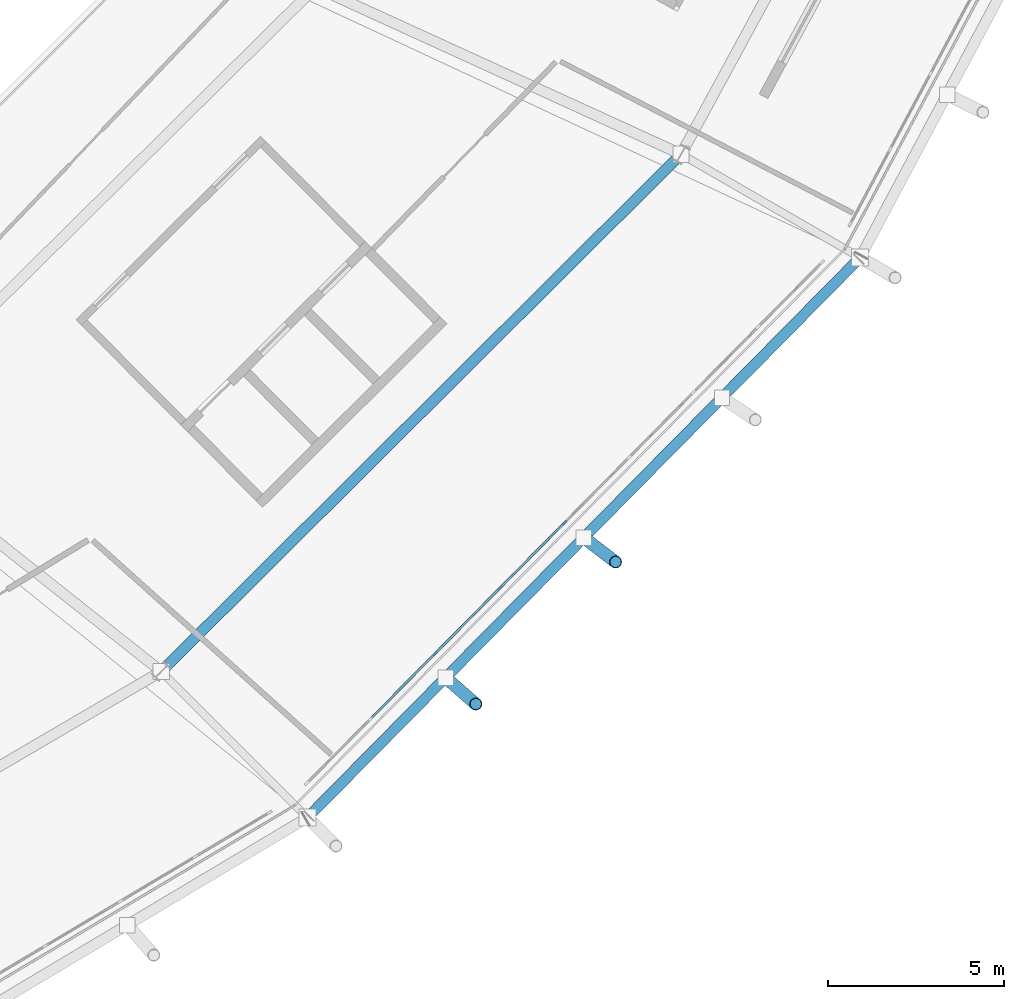
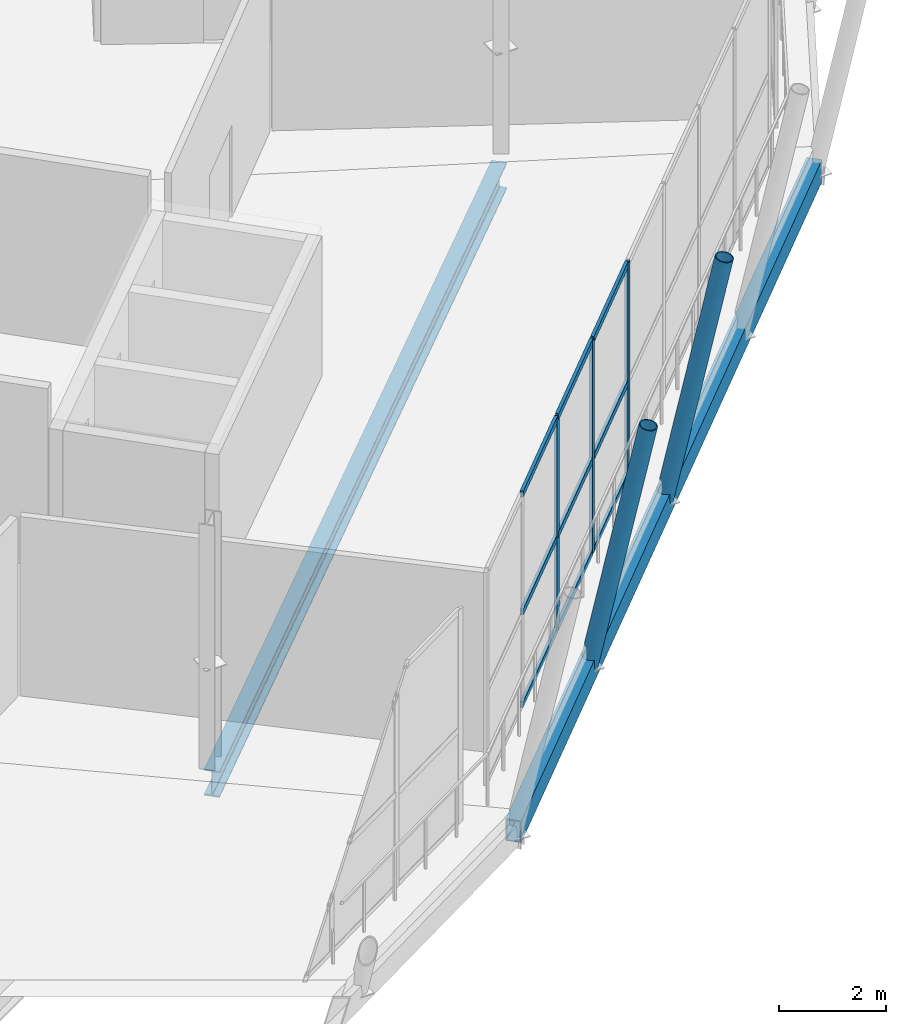
# One storey, part 35 of 99: 14 members, 2 beams, 1 element without a shape of its own.
"""IFC4 building model written with IfcOpenShell, lengths in metres."""

from ifc_helpers import new_model, si_unit, direction, frame, origin, origin_2d, place, context, subcontext, project, spatial, rectangle, hollow_rectangle, hollow_circle, i_section, extrude, material, material_profile, profile_set, type_object, element, aggregate, save


model = new_model("IFC4")

# Units and contexts
model_context = context("Model", 3, precision=1e-05, world=origin(), true_north=direction((0.0, 1.0)))
body_context = subcontext(model_context, "Body", "Model", "MODEL_VIEW")
ifc_project = project(units=[si_unit("LENGTHUNIT", "METRE"), si_unit("AREAUNIT", "SQUARE_METRE"), si_unit("VOLUMEUNIT", "CUBIC_METRE"), si_unit("PLANEANGLEUNIT", "RADIAN"), si_unit("MASSUNIT", "GRAM", prefix="KILO")], contexts=[model_context])

# Site, building, storey
site_placement = place(None, origin())
site = spatial("IfcSite", under=ifc_project, at=site_placement, CompositionType="ELEMENT")
building_placement = place(site_placement, origin())
building = spatial("IfcBuilding", under=site, at=building_placement, Name="Zlatoyarsky Gate Stadium", CompositionType="ELEMENT")
storey_placement = place(building_placement, frame((0.0, 0.0, 26.199951171875)))
storey = spatial("IfcBuildingStorey", under=building, at=storey_placement, Name="L05", CompositionType="ELEMENT", Elevation=26.199951171875)

# Curtain wall, members
ifc_material_1 = material(Name="Thermally broken anodised aluminium curtain wall", Category="aluminium")
curtain_wall_type = type_object("IfcCurtainWallType", Name="UNITISED SKYBOX RING GLAZING L05", PredefinedType="USERDEFINED", material=ifc_material_1)
curtain_wall_placement = place(storey_placement, origin())
curtain_wall = element("IfcCurtainWall", 1, at=curtain_wall_placement, inside=storey, type_object=curtain_wall_type, Name="Curtain wall CW-L05-21", ObjectType="UNITISED GLAZING", PredefinedType="USERDEFINED")
ifc_material_2 = material(Name="Anodised aluminium 6063-T6", Category="aluminium")
ifc_material_profile_1 = material_profile(ifc_material_2, rectangle(XDim=0.06494140625, YDim=0.159912109375, at=origin_2d()), Name="ALU 65X160")
ifc_profile_set_1 = profile_set([ifc_material_profile_1], Name="Anodised aluminium 6063-T6")
member_type_1 = type_object("IfcMemberType", Name="ALUMINIUM MULLION 65X160", PredefinedType="MULLION", material=ifc_profile_set_1)
member_1_placement = place(storey_placement, frame((184.551513671875, 30.309326171875, 0.0), z_axis=(0.0, 0.0, 1.0), x_axis=(-0.711033343632, 0.703158292451, 0.0)))
member_1 = element("IfcMember", 2, at=member_1_placement, type_object=member_type_1, Name="CW-UG5 mullion 3", PredefinedType="MULLION", context=body_context, shape_type="SweptSolid", body=[
    extrude(rectangle(XDim=0.06494140625, YDim=0.159912109375, at=origin_2d()), origin(), (0.0, 0.0, 1.0), 4.880126953125),
])
member_2_placement = place(storey_placement, frame((186.387451171875, 32.165771484375, 0.0), z_axis=(0.0, 0.0, 1.0), x_axis=(-0.711033343632, 0.703158292451, 0.0)))
member_2 = element("IfcMember", 3, at=member_2_placement, type_object=member_type_1, Name="CW-UG5 mullion 4", PredefinedType="MULLION", context=body_context, shape_type="SweptSolid", body=[
    extrude(rectangle(XDim=0.06494140625, YDim=0.159912109375, at=origin_2d()), origin(), (0.0, 0.0, 1.0), 4.880126953125),
])
member_3_placement = place(storey_placement, frame((188.2236328125, 34.0224609375, 0.0), z_axis=(0.0, 0.0, 1.0), x_axis=(-0.711033343632, 0.703158292451, 0.0)))
member_3 = element("IfcMember", 4, at=member_3_placement, type_object=member_type_1, Name="CW-UG5 mullion 5", PredefinedType="MULLION", context=body_context, shape_type="SweptSolid", body=[
    extrude(rectangle(XDim=0.06494140625, YDim=0.159912109375, at=origin_2d()), origin(), (0.0, 0.0, 1.0), 4.880126953125),
])
ifc_material_profile_2 = material_profile(ifc_material_2, rectangle(XDim=0.06494140625, YDim=0.139892578125, at=origin_2d()), Name="ALU 65X140")
ifc_profile_set_2 = profile_set([ifc_material_profile_2], Name="Anodised aluminium 6063-T6")
member_type_2 = type_object("IfcMemberType", Name="ALUMINIUM TRANSOM 65X140", PredefinedType="USERDEFINED", material=ifc_profile_set_2)
member_4_placement = place(storey_placement, frame((182.73828125, 28.475830078125, 0.032470703125), z_axis=(0.7031643449, 0.711027358166, 0.0), x_axis=(-0.711027358166, 0.7031643449, 0.0)))
member_4 = element("IfcMember", 5, at=member_4_placement, type_object=member_type_2, Name="CW-UG5 transom 2.1", ObjectType="TRANSOM", PredefinedType="USERDEFINED", context=body_context, shape_type="SweptSolid", body=[
    extrude(rectangle(XDim=0.06494140625, YDim=0.139892578125, at=origin_2d()), origin(), (0.0, 0.0, 1.0), 2.546142578125),
])
member_5_placement = place(storey_placement, frame((182.73828125, 28.475830078125, 2.150146484375), z_axis=(0.7031643449, 0.711027358166, 0.0), x_axis=(-0.711027358166, 0.7031643449, 0.0)))
member_5 = element("IfcMember", 6, at=member_5_placement, type_object=member_type_2, Name="CW-UG5 transom 2.2", ObjectType="TRANSOM", PredefinedType="USERDEFINED", context=body_context, shape_type="SweptSolid", body=[
    extrude(rectangle(XDim=0.06494140625, YDim=0.139892578125, at=origin_2d()), origin(), (0.0, 0.0, 1.0), 2.546142578125),
])
member_6_placement = place(storey_placement, frame((182.73828125, 28.475830078125, 4.84765625), z_axis=(0.7031643449, 0.711027358166, 0.0), x_axis=(-0.711027358166, 0.7031643449, 0.0)))
member_6 = element("IfcMember", 7, at=member_6_placement, type_object=member_type_2, Name="CW-UG5 transom 2.3", ObjectType="TRANSOM", PredefinedType="USERDEFINED", context=body_context, shape_type="SweptSolid", body=[
    extrude(rectangle(XDim=0.06494140625, YDim=0.139892578125, at=origin_2d()), origin(), (0.0, 0.0, 1.0), 2.546142578125),
])
member_7_placement = place(storey_placement, frame((184.574462890625, 30.332275390625, 0.032470703125), z_axis=(0.703116404332, 0.711074765379, 0.0), x_axis=(-0.711074765379, 0.703116404332, 0.0)))
member_7 = element("IfcMember", 8, at=member_7_placement, type_object=member_type_2, Name="CW-UG5 transom 3.1", ObjectType="TRANSOM", PredefinedType="USERDEFINED", context=body_context, shape_type="SweptSolid", body=[
    extrude(rectangle(XDim=0.06494140625, YDim=0.139892578125, at=origin_2d()), origin(), (0.0, 0.0, 1.0), 2.546142578125),
])
member_8_placement = place(storey_placement, frame((184.574462890625, 30.332275390625, 2.150146484375), z_axis=(0.703116404332, 0.711074765379, 0.0), x_axis=(-0.711074765379, 0.703116404332, 0.0)))
member_8 = element("IfcMember", 9, at=member_8_placement, type_object=member_type_2, Name="CW-UG5 transom 3.2", ObjectType="TRANSOM", PredefinedType="USERDEFINED", context=body_context, shape_type="SweptSolid", body=[
    extrude(rectangle(XDim=0.06494140625, YDim=0.139892578125, at=origin_2d()), origin(), (0.0, 0.0, 1.0), 2.546142578125),
])
member_9_placement = place(storey_placement, frame((184.574462890625, 30.332275390625, 4.84765625), z_axis=(0.703116404332, 0.711074765379, 0.0), x_axis=(-0.711074765379, 0.703116404332, 0.0)))
member_9 = element("IfcMember", 10, at=member_9_placement, type_object=member_type_2, Name="CW-UG5 transom 3.3", ObjectType="TRANSOM", PredefinedType="USERDEFINED", context=body_context, shape_type="SweptSolid", body=[
    extrude(rectangle(XDim=0.06494140625, YDim=0.139892578125, at=origin_2d()), origin(), (0.0, 0.0, 1.0), 2.546142578125),
])
member_10_placement = place(storey_placement, frame((186.410400390625, 32.18896484375, 0.032470703125), z_axis=(0.7031643449, 0.711027358166, 0.0), x_axis=(-0.711027358166, 0.7031643449, 0.0)))
member_10 = element("IfcMember", 11, at=member_10_placement, type_object=member_type_2, Name="CW-UG5 transom 4.1", ObjectType="TRANSOM", PredefinedType="USERDEFINED", context=body_context, shape_type="SweptSolid", body=[
    extrude(rectangle(XDim=0.06494140625, YDim=0.139892578125, at=origin_2d()), origin(), (0.0, 0.0, 1.0), 2.546142578125),
])
member_11_placement = place(storey_placement, frame((186.410400390625, 32.18896484375, 2.150146484375), z_axis=(0.7031643449, 0.711027358166, 0.0), x_axis=(-0.711027358166, 0.7031643449, 0.0)))
member_11 = element("IfcMember", 12, at=member_11_placement, type_object=member_type_2, Name="CW-UG5 transom 4.2", ObjectType="TRANSOM", PredefinedType="USERDEFINED", context=body_context, shape_type="SweptSolid", body=[
    extrude(rectangle(XDim=0.06494140625, YDim=0.139892578125, at=origin_2d()), origin(), (0.0, 0.0, 1.0), 2.546142578125),
])
member_12_placement = place(storey_placement, frame((186.410400390625, 32.18896484375, 4.84765625), z_axis=(0.7031643449, 0.711027358166, 0.0), x_axis=(-0.711027358166, 0.7031643449, 0.0)))
member_12 = element("IfcMember", 13, at=member_12_placement, type_object=member_type_2, Name="CW-UG5 transom 4.3", ObjectType="TRANSOM", PredefinedType="USERDEFINED", context=body_context, shape_type="SweptSolid", body=[
    extrude(rectangle(XDim=0.06494140625, YDim=0.139892578125, at=origin_2d()), origin(), (0.0, 0.0, 1.0), 2.546142578125),
])
aggregate(curtain_wall, [member_1, member_2, member_3, member_4, member_5, member_6, member_7, member_8, member_9, member_10, member_11, member_12])

# Members
ifc_material_3 = material(Name="Steel S355", Category="steel")
ifc_material_profile_3 = material_profile(ifc_material_3, hollow_circle(Radius=0.177734375, WallThickness=0.02001953125, at=origin_2d()), Name="CHS 355.6X20")
ifc_profile_set_3 = profile_set([ifc_material_profile_3], Name="Steel S355")
member_type_3 = type_object("IfcMemberType", Name="STEEL LEANING RIB RING STRUT CHS 355.6X20", PredefinedType="STRUT", material=ifc_profile_set_3)
member_13_placement = place(storey_placement, frame((184.845703125, 29.619384765625, -0.510009765625), z_axis=(0.14870213522, -0.130436760635, 0.98024176939), x_axis=(0.659427221698, 0.751768408011, 0.0)))
element("IfcMember", 14, at=member_13_placement, inside=storey, type_object=member_type_3, Name="Outward-leaning bowl louvre fin rib L05 21-1", PredefinedType="STRUT", context=body_context, shape_type="SweptSolid", body=[
    extrude(hollow_circle(Radius=0.177734375, WallThickness=0.02001953125, at=origin_2d()), origin(), (0.0, 0.0, 1.0), 5.774169921875),
])
member_14_placement = place(storey_placement, frame((188.774169921875, 33.599853515625, -0.510009765625), z_axis=(0.156580813435, -0.120131269503, 0.980332049334), x_axis=(0.608705888985, 0.793395954562, 0.0)))
element("IfcMember", 15, at=member_14_placement, inside=storey, type_object=member_type_3, Name="Outward-leaning bowl louvre fin rib L05 21-2", PredefinedType="STRUT", context=body_context, shape_type="SweptSolid", body=[
    extrude(hollow_circle(Radius=0.177734375, WallThickness=0.02001953125, at=origin_2d()), origin(), (0.0, 0.0, 1.0), 5.773681640625),
])

# Beams
ifc_material_profile_4 = material_profile(ifc_material_3, hollow_rectangle(XDim=0.300048828125, YDim=0.5, WallThickness=0.02001953125, at=origin_2d()), Name="RHS 500X300X20")
ifc_profile_set_4 = profile_set([ifc_material_profile_4], Name="Steel S355")
beam_type_1 = type_object("IfcBeamType", Name="STEEL LOUVRE CARRIER SPANDREL RHS 500X300X20", PredefinedType="SPANDREL", material=ifc_profile_set_4)
beam_1_placement = place(storey_placement, frame((180.931396484375, 25.6533203125, -0.510009765625), z_axis=(0.702439380368, 0.711743575249, 0.0), x_axis=(-0.711743575249, 0.702439380368, 0.0)))
element("IfcBeam", 16, at=beam_1_placement, inside=storey, type_object=beam_type_1, Name="Beam SP-RHS500 BM-L05-SPD-21", PredefinedType="SPANDREL", context=body_context, shape_type="SweptSolid", body=[
    extrude(hollow_rectangle(XDim=0.300048828125, YDim=0.5, WallThickness=0.02001953125, at=origin_2d()), origin(), (0.0, 0.0, 1.0), 22.330078125),
])
ifc_material_profile_5 = material_profile(ifc_material_3, i_section(OverallWidth=0.300048828125, OverallDepth=0.60009765625, WebThickness=0.015380859375, FlangeThickness=0.030029296875, FilletRadius=0.027099609375, at=origin_2d()), Name="HEB 600")
ifc_profile_set_5 = profile_set([ifc_material_profile_5], Name="Steel S355")
beam_type_2 = type_object("IfcBeamType", Name="STEEL PRIMARY GIRDER HEB 600", PredefinedType="BEAM", material=ifc_profile_set_5)
beam_2_placement = place(storey_placement, frame((176.845947265625, 29.8798828125, -0.56005859375), z_axis=(0.708899260134, 0.705309746835, 0.0), x_axis=(-0.705309746835, 0.708899260134, 0.0)))
element("IfcBeam", 17, at=beam_2_placement, inside=storey, type_object=beam_type_2, Name="Beam G-HEB600 BM-L05-CRC-21", PredefinedType="BEAM", context=body_context, shape_type="SweptSolid", body=[
    extrude(i_section(OverallWidth=0.300048828125, OverallDepth=0.60009765625, WebThickness=0.015380859375, FlangeThickness=0.030029296875, FilletRadius=0.027099609375, at=origin_2d()), origin(), (0.0, 0.0, 1.0), 20.608642578125),
])

save(model, "model.ifc")
